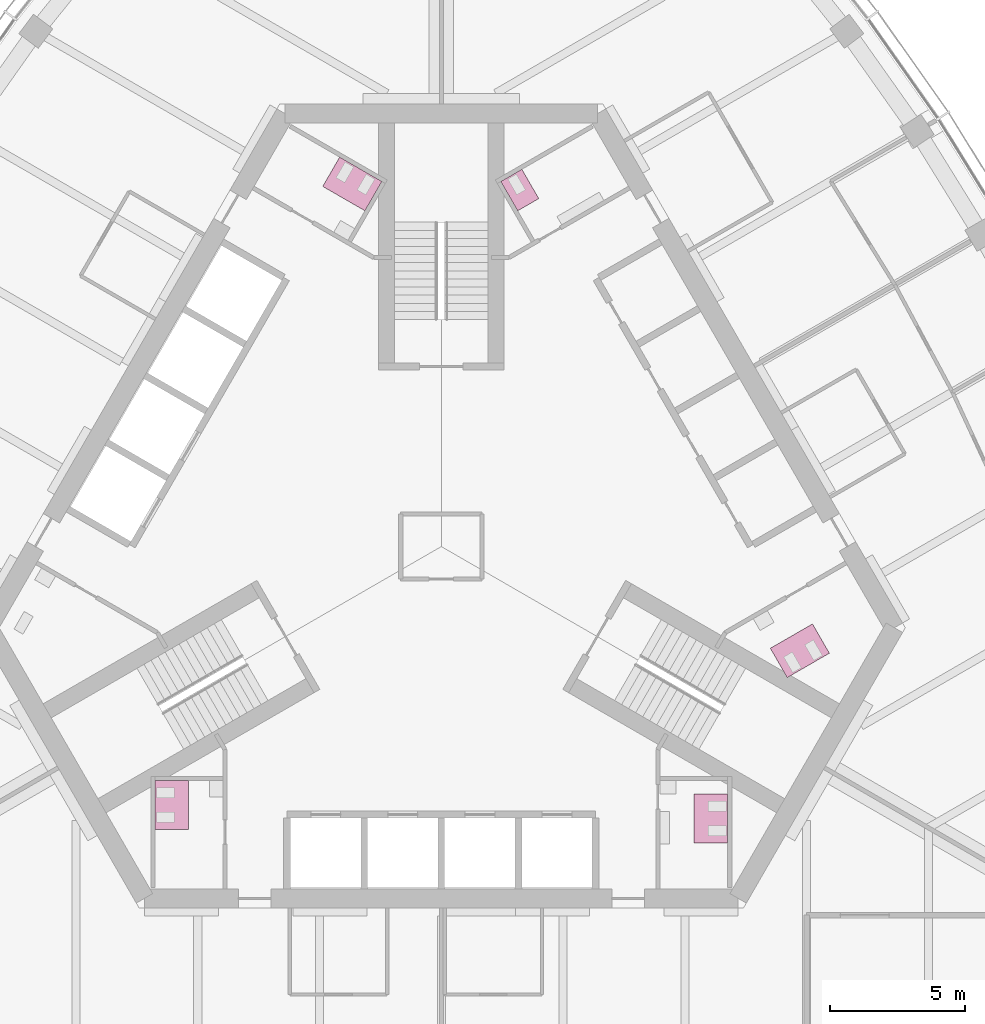
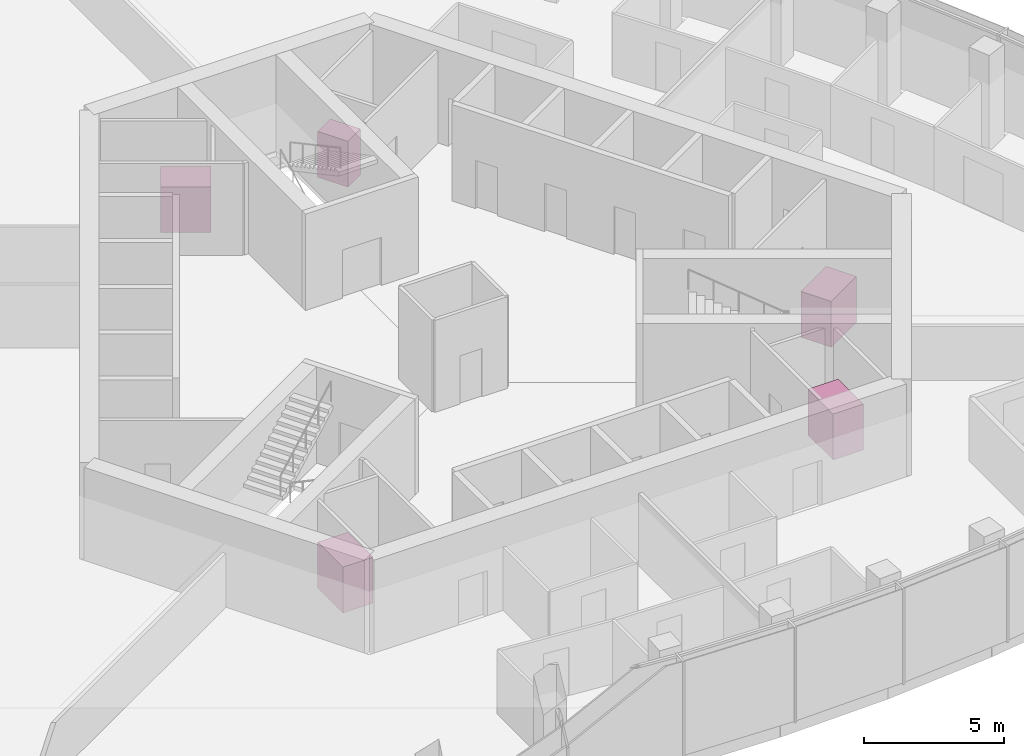
# One storey, part 16 of 16: 5 furniture elements.
"""IFC4 building model written with IfcOpenShell, lengths in metres."""

import ifcopenshell
import ifcopenshell.guid

model = None  # the IFC model being written
_history = None  # IfcOwnerHistory: only IFC2X3 demands one
_inside = {}  # id of a spatial element -> (the spatial element, [elements in it])
_under = {}  # id of a project, library or spatial element -> (it, [spatial elements below it])
_declared = {}  # id of a project -> (the project, [libraries it declares])
_typed = {}  # id of a type object -> (the type object, [elements of that type])
_made_of = {}  # id of a material, layer set ... -> (it, [elements and type objects made of it])


def new_model(schema):
    """Start an empty IFC model of exactly this schema.

    Asked for "IFC4X3", IfcOpenShell would pick the latest addendum, in which some entities
    have other attributes; the version numbers below select the first issue.
    IFC2X3 requires an IfcOwnerHistory on every rooted entity: one is made here for all.
    """
    global model, _history
    if schema == "IFC4X3":
        model = ifcopenshell.file(schema_version=(4, 3, 0, 0))
    else:
        model = ifcopenshell.file(schema=schema)
    _inside.clear()
    _under.clear()
    _declared.clear()
    _typed.clear()
    _made_of.clear()
    _history = None
    if model.schema == "IFC2X3":
        org = make("IfcOrganization", Name="unknown")
        user = make(
            "IfcPersonAndOrganization",
            ThePerson=make("IfcPerson", FamilyName="unknown"),
            TheOrganization=org,
        )
        app = make(
            "IfcApplication",
            ApplicationDeveloper=org,
            Version="unknown",
            ApplicationFullName="unknown",
            ApplicationIdentifier="unknown",
        )
        _history = make(
            "IfcOwnerHistory",
            OwningUser=user,
            OwningApplication=app,
            ChangeAction="ADDED",
            CreationDate=0,
        )
    return model


def make(cls, **values):
    """One entity of the class cls with the attributes given. An attribute that is None is left unset."""
    return model.create_entity(
        cls, **{name: value for name, value in values.items() if value is not None}
    )


def rooted(cls, **values):
    """An entity with a GlobalId (a new one), such as an element, a storey or a relation."""
    return make(cls, GlobalId=ifcopenshell.guid.new(), OwnerHistory=_history, **values)


def si_unit(unit_type, name, prefix=None):
    """IfcSIUnit, for example si_unit("LENGTHUNIT", "METRE", prefix="MILLI")."""
    return make("IfcSIUnit", UnitType=unit_type, Prefix=prefix, Name=name)


def assignment(units):
    """IfcUnitAssignment: the units of a project."""
    return None if units is None else make("IfcUnitAssignment", Units=units)


def point(xyz):
    """IfcCartesianPoint."""
    return None if xyz is None else make("IfcCartesianPoint", Coordinates=xyz)


def direction(xyz):
    """IfcDirection."""
    return None if xyz is None else make("IfcDirection", DirectionRatios=xyz)


def frame(location, z_axis=None, x_axis=None):
    """IfcAxis2Placement3D, a coordinate frame: its origin and axes. An axis left out is left unset."""
    return make(
        "IfcAxis2Placement3D",
        Location=point(location),
        Axis=direction(z_axis),
        RefDirection=direction(x_axis),
    )


def origin():
    """The frame at (0, 0, 0) with its axes left unset."""
    return frame((0.0, 0.0, 0.0))


def place(relative_to, where):
    """IfcLocalPlacement: puts the frame where relative to a parent placement (None: the world)."""
    return make(
        "IfcLocalPlacement", PlacementRelTo=relative_to, RelativePlacement=where
    )


def context(
    kind, dimensions, precision=None, world=None, true_north=None, identifier=None
):
    """IfcGeometricRepresentationContext, for example the 3D "Model" context."""
    return make(
        "IfcGeometricRepresentationContext",
        ContextIdentifier=identifier,
        ContextType=kind,
        CoordinateSpaceDimension=dimensions,
        Precision=precision,
        WorldCoordinateSystem=world,
        TrueNorth=true_north,
    )


def subcontext(parent, identifier, kind, view, scale=None):
    """IfcGeometricRepresentationSubContext, for example "Body" below "Model"."""
    return make(
        "IfcGeometricRepresentationSubContext",
        ContextIdentifier=identifier,
        ContextType=kind,
        ParentContext=parent,
        TargetScale=scale,
        TargetView=view,
    )


def project(units=None, contexts=None):
    """IfcProject with its units and contexts."""
    return rooted(
        "IfcProject",
        Name="project",
        RepresentationContexts=contexts,
        UnitsInContext=assignment(units),
    )


def spatial(cls, under=None, at=None, **own):
    """A site, building, storey or space (cls), placed at a placement, below another one or the project."""
    s = rooted(cls, ObjectPlacement=at, **own)
    if under is not None:
        _under.setdefault(under.id(), (under, []))[1].append(s)
    return s


def polyline(points):
    """IfcPolyline through the points."""
    return make("IfcPolyline", Points=[point(p) for p in points])


def outline(outer, holes=None, kind="AREA"):
    """IfcArbitraryClosedProfileDef: a profile drawn as a closed curve; with holes, ...WithVoids."""
    if holes is None:
        return make("IfcArbitraryClosedProfileDef", ProfileType=kind, OuterCurve=outer)
    return make(
        "IfcArbitraryProfileDefWithVoids",
        ProfileType=kind,
        OuterCurve=outer,
        InnerCurves=holes,
    )


def extrude(swept, where, along, depth):
    """IfcExtrudedAreaSolid: the profile swept, set in the frame where, extruded along a direction by depth."""
    return make(
        "IfcExtrudedAreaSolid",
        SweptArea=swept,
        Position=where,
        ExtrudedDirection=direction(along),
        Depth=depth,
    )


def shape(context_of_items, identifier, shape_type, items):
    """IfcShapeRepresentation: the items that make up one representation, for example the "Body"."""
    return make(
        "IfcShapeRepresentation",
        ContextOfItems=context_of_items,
        RepresentationIdentifier=identifier,
        RepresentationType=shape_type,
        Items=items,
    )


def material(Name=None, Category=None):
    """IfcMaterial."""
    return make("IfcMaterial", Name=Name, Category=Category)


def made_of(thing, what):
    """Note that an element or type object is made of a material, layer set ...; save() writes the relation."""
    if what is not None:
        _made_of.setdefault(what.id(), (what, []))[1].append(thing)
    return thing


def type_object(cls, material=None, **own):
    """A type object (cls), such as IfcWallType, which elements share."""
    return made_of(rooted(cls, **own), material)


def element(
    cls,
    number,
    at=None,
    inside=None,
    cuts=None,
    type_object=None,
    material=None,
    context=None,
    identifier="Body",
    shape_type=None,
    held_by="IfcProductDefinitionShape",
    body=None,
    shapes=None,
    **own,
):
    """One element of the class cls, such as IfcWall. Its Tag is "e" and its number.

    at: its placement. inside: the storey or other place that contains it. cuts: it is an
    opening in that element (IfcRelVoidsElement). A single representation is given by context,
    identifier, shape_type and body (its items); several are given by shapes. held_by: the class
    of the entity that holds the representations. save() writes the other relations.
    """
    e = rooted(cls, Tag="e%d" % number, ObjectPlacement=at, **own)
    if body is not None:
        shapes = [shape(context, identifier, shape_type, body)]
    if shapes is not None:
        e.Representation = make(held_by, Representations=shapes)
    if inside is not None:
        _inside.setdefault(inside.id(), (inside, []))[1].append(e)
    if cuts is not None:
        rooted(
            "IfcRelVoidsElement", RelatingBuildingElement=cuts, RelatedOpeningElement=e
        )
    if type_object is not None:
        _typed.setdefault(type_object.id(), (type_object, []))[1].append(e)
    return made_of(e, material)


def aggregate(whole, parts):
    """IfcRelAggregates: a whole, such as a stair, and the parts it consists of."""
    return rooted("IfcRelAggregates", RelatingObject=whole, RelatedObjects=parts)


def save(model, path):
    """Write the relations noted so far, then the file.

    IfcRelAggregates (storeys below a building ...), IfcRelContainedInSpatialStructure (elements
    in a storey), IfcRelDefinesByType, IfcRelAssociatesMaterial and IfcRelDeclares: one each for
    every whole, place, type object, material and project.
    """
    for whole, parts in _under.values():
        aggregate(whole, parts)
    for where, things in _inside.values():
        rooted(
            "IfcRelContainedInSpatialStructure",
            RelatedElements=things,
            RelatingStructure=where,
        )
    for kind, things in _typed.values():
        rooted("IfcRelDefinesByType", RelatedObjects=things, RelatingType=kind)
    for what, things in _made_of.values():
        rooted("IfcRelAssociatesMaterial", RelatedObjects=things, RelatingMaterial=what)
    for by, libraries in _declared.values():
        rooted("IfcRelDeclares", RelatingContext=by, RelatedDefinitions=libraries)
    model.write(path)


model = new_model("IFC4")

# Units and contexts
model_context = context("Model", 3, precision=1e-05, world=origin(), true_north=direction((0.0, 1.0)))
body_context = subcontext(model_context, "Body", "Model", "MODEL_VIEW")
ifc_project = project(units=[si_unit("LENGTHUNIT", "METRE"), si_unit("AREAUNIT", "SQUARE_METRE"), si_unit("VOLUMEUNIT", "CUBIC_METRE"), si_unit("PLANEANGLEUNIT", "RADIAN"), si_unit("MASSUNIT", "GRAM", prefix="KILO")], contexts=[model_context])

# Site, building, storey
site_placement = place(None, origin())
site = spatial("IfcSite", under=ifc_project, at=site_placement, CompositionType="ELEMENT")
building_placement = place(site_placement, origin())
building = spatial("IfcBuilding", under=site, at=building_placement, Name="Trefoil Bronze Tower", CompositionType="ELEMENT")
storey_placement = place(building_placement, frame((0.0, 0.0, 297.300048828125)))
storey = spatial("IfcBuildingStorey", under=building, at=storey_placement, Name="L68", CompositionType="ELEMENT", Elevation=297.300048828125)

# Furniture
ifc_material_1 = material(Name="Compact laminate cubicles", Category="plastic")
furniture_type_1 = type_object("IfcFurnitureType", Name="WC cubicle range 1 cubicles", AssemblyPlace="FACTORY", PredefinedType="USERDEFINED", material=ifc_material_1)
furniture_1_placement = place(storey_placement, origin())
element("IfcFurniture", 1, at=furniture_1_placement, inside=storey, type_object=furniture_type_1, Name="WC cubicle range WC (men) L68", ObjectType="WC cubicle range", PredefinedType="USERDEFINED", context=body_context, shape_type="SweptSolid", body=[
    extrude(outline(polyline([(2.82373046875, 12.409423828125), (2.19873046875, 13.491943359375), (2.97802734375, 13.94189453125), (3.60302734375, 12.859375), (2.82373046875, 12.409423828125)])), origin(), (0.0, 0.0, 1.0), 2.0),
])
ifc_material_2 = material(Name="Compact laminate cubicles", Category="plastic")
furniture_type_2 = type_object("IfcFurnitureType", Name="WC cubicle range 2 cubicles", AssemblyPlace="FACTORY", PredefinedType="USERDEFINED", material=ifc_material_2)
furniture_2_placement = place(storey_placement, origin())
element("IfcFurniture", 2, at=furniture_2_placement, inside=storey, type_object=furniture_type_2, Name="WC cubicle range WC (men) L68", ObjectType="WC cubicle range", PredefinedType="USERDEFINED", context=body_context, shape_type="SweptSolid", body=[
    extrude(outline(polyline([(9.3349609375, -9.14990234375), (10.5849609375, -9.14990234375), (10.5849609375, -10.949951171875), (9.3349609375, -10.949951171875), (9.3349609375, -9.14990234375)])), origin(), (0.0, 0.0, 1.0), 2.0),
])
furniture_3_placement = place(storey_placement, origin())
element("IfcFurniture", 3, at=furniture_3_placement, inside=storey, type_object=furniture_type_2, Name="WC cubicle range WC (women) L68", ObjectType="WC cubicle range", PredefinedType="USERDEFINED", context=body_context, shape_type="SweptSolid", body=[
    extrude(outline(polyline([(12.15869140625, -3.75927734375), (12.78369140625, -4.841796875), (14.342529296875, -3.94189453125), (13.717529296875, -2.859375), (12.15869140625, -3.75927734375)])), origin(), (0.0, 0.0, 1.0), 2.0),
])
furniture_4_placement = place(storey_placement, origin())
element("IfcFurniture", 4, at=furniture_4_placement, inside=storey, type_object=furniture_type_2, Name="WC cubicle range WC (women) L68", ObjectType="WC cubicle range", PredefinedType="USERDEFINED", context=body_context, shape_type="SweptSolid", body=[
    extrude(outline(polyline([(-2.82373046875, 12.409423828125), (-2.19873046875, 13.491943359375), (-3.757568359375, 14.391845703125), (-4.382568359375, 13.309326171875), (-2.82373046875, 12.409423828125)])), origin(), (0.0, 0.0, 1.0), 2.0),
])
furniture_5_placement = place(storey_placement, origin())
element("IfcFurniture", 5, at=furniture_5_placement, inside=storey, type_object=furniture_type_2, Name="WC cubicle range WC (women) L68", ObjectType="WC cubicle range", PredefinedType="USERDEFINED", context=body_context, shape_type="SweptSolid", body=[
    extrude(outline(polyline([(-9.3349609375, -8.64990234375), (-10.5849609375, -8.64990234375), (-10.5849609375, -10.449951171875), (-9.3349609375, -10.449951171875), (-9.3349609375, -8.64990234375)])), origin(), (0.0, 0.0, 1.0), 2.0),
])

save(model, "model.ifc")
